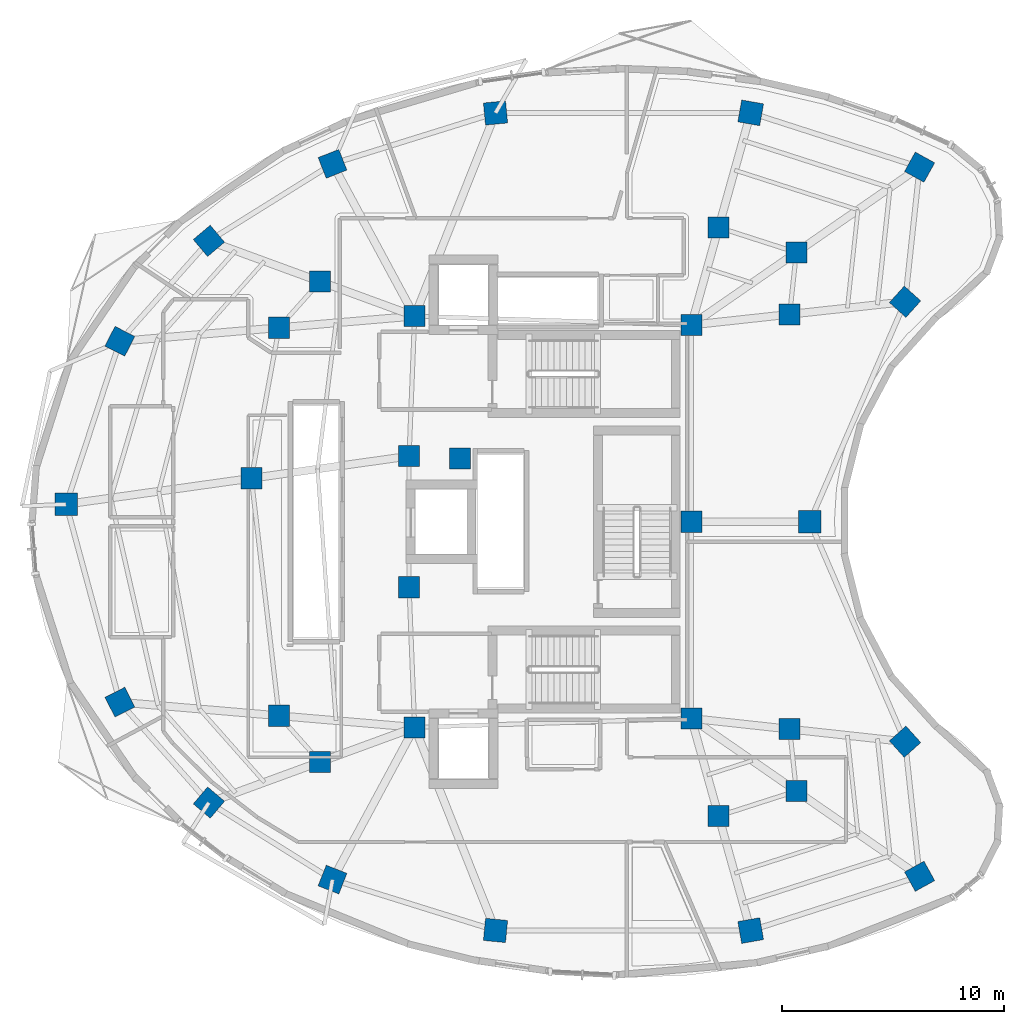
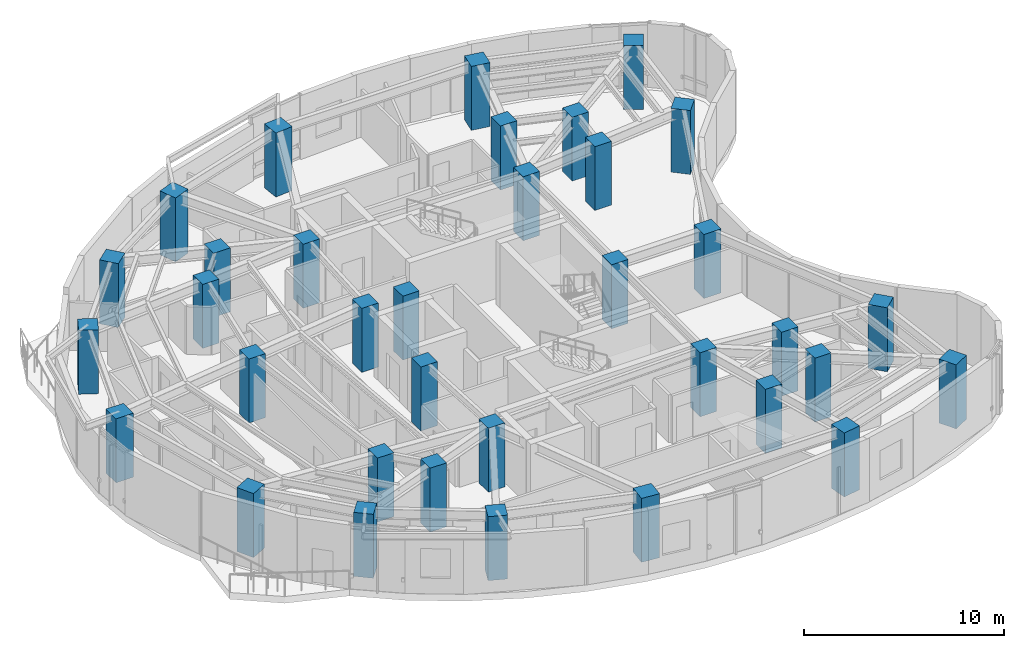
# One storey, part 1 of 13: 35 columns.
"""IFC4 building model written with IfcOpenShell, lengths in metres."""

from ifc_helpers import new_model, si_unit, direction, frame, origin, origin_2d, place, context, subcontext, project, spatial, rectangle, extrude, material, material_profile, profile_set, type_object, element, save


model = new_model("IFC4")

# Units and contexts
model_context = context("Model", 3, precision=1e-05, world=origin(), true_north=direction((0.0, 1.0)))
body_context = subcontext(model_context, "Body", "Model", "MODEL_VIEW")
ifc_project = project(units=[si_unit("LENGTHUNIT", "METRE"), si_unit("AREAUNIT", "SQUARE_METRE"), si_unit("VOLUMEUNIT", "CUBIC_METRE"), si_unit("PLANEANGLEUNIT", "RADIAN"), si_unit("MASSUNIT", "GRAM", prefix="KILO")], contexts=[model_context])

# Site, building, storey
site_placement = place(None, origin())
site = spatial("IfcSite", under=ifc_project, at=site_placement, CompositionType="ELEMENT")
building_placement = place(site_placement, origin())
building = spatial("IfcBuilding", under=site, at=building_placement, Name="Korentha Bioscience Tower", CompositionType="ELEMENT")
storey_placement = place(building_placement, frame((0.0, 0.0, 166.800048828125)))
storey = spatial("IfcBuildingStorey", under=building, at=storey_placement, Name="L38", CompositionType="ELEMENT", Elevation=166.800048828125)

# Columns
ifc_material = material(Name="Concrete C65", Category="concrete")
ifc_material_profile_1 = material_profile(ifc_material, rectangle(XDim=0.949951171875, YDim=0.949951171875, at=origin_2d()), Name="Concrete C65")
ifc_profile_set_1 = profile_set([ifc_material_profile_1], Name="Concrete C65 (COL-CP09)")
column_type_1 = type_object("IfcColumnType", Name="Core Pilaster Column RC 950x950", PredefinedType="PILASTER", material=ifc_profile_set_1)
for number, where, z_axis, x_axis, name in (
    (1, (37.550048828125, 35.85009765625, -0.00048828125), (0.0, 0.0, 1.0), (1.0, 0.0, 0.0), "L38 Core Pilaster CP-01"),
    (2, (25.10009765625, 36.25, -0.00048828125), (0.0, 0.0, 1.0), (1.0, 0.0, 0.0), "L38 Core Pilaster CP-02"),
    (3, (24.85009765625, 29.949951171875, -0.00048828125), (0.0, 0.0, 1.0), (1.0, 0.0, 0.0), "L38 Core Pilaster CP-03"),
    (4, (27.14990234375, 29.85009765625, -0.00048828125), (0.0, 0.0, 1.0), (1.0, 0.0, 0.0), "L38 Core Pilaster CP-04"),
    (5, (24.85009765625, 24.050048828125, -0.00048828125), (0.0, 0.0, 1.0), (1.0, 0.0, 0.0), "L38 Core Pilaster CP-05"),
    (6, (25.10009765625, 17.75, -0.00048828125), (0.0, 0.0, 1.0), (1.0, 0.0, 0.0), "L38 Core Pilaster CP-06"),
    (7, (37.550048828125, 18.14990234375, -0.00048828125), (0.0, 0.0, 1.0), (1.0, 0.0, 0.0), "L38 Core Pilaster CP-07"),
    (8, (37.550048828125, 27.0, -0.00048828125), (0.0, 0.0, 1.0), (1.0, 0.0, 0.0), "L38 Core Pilaster CP-08"),
):
    element("IfcColumn", number, at=place(storey_placement, frame(where, z_axis=z_axis, x_axis=x_axis)), inside=storey, type_object=column_type_1, Name=name, PredefinedType="PILASTER", context=body_context, shape_type="SweptSolid", body=[
        extrude(rectangle(XDim=0.949951171875, YDim=0.949951171875, at=origin_2d()), origin(), (0.0, 0.0, 1.0), 3.90087890625),
    ])
ifc_material_profile_2 = material_profile(ifc_material, rectangle(XDim=0.949951171875, YDim=0.949951171875, at=origin_2d()), Name="Concrete C65")
ifc_profile_set_2 = profile_set([ifc_material_profile_2], Name="Concrete C65 (COL-MR09)")
column_type_2 = type_object("IfcColumnType", Name="Mid-Ring Lab Column RC 950x950", PredefinedType="COLUMN", material=ifc_profile_set_2)
for number, where, z_axis, x_axis, name in (
    (9, (42.274658203125, 39.1171875, -0.00048828125), (0.0, 0.0, 1.0), (1.0, 0.0, 0.0), "L38 Mid-Ring Column 01"),
    (10, (38.77880859375, 40.2412109375, -0.00048828125), (0.0, 0.0, 1.0), (1.0, 0.0, 0.0), "L38 Mid-Ring Column 02"),
    (11, (20.84228515625, 37.807861328125, -0.00048828125), (0.0, 0.0, 1.0), (1.0, 0.0, 0.0), "L38 Mid-Ring Column 05"),
    (12, (18.99951171875, 35.72998046875, -0.00048828125), (0.0, 0.0, 1.0), (1.0, 0.0, 0.0), "L38 Mid-Ring Column 06"),
    (13, (17.75341796875, 28.95458984375, -0.00048828125), (0.0, 0.0, 1.0), (1.0, 0.0, 0.0), "L38 Mid-Ring Column 07"),
    (14, (18.99951171875, 18.27001953125, -0.00048828125), (0.0, 0.0, 1.0), (1.0, 0.0, 0.0), "L38 Mid-Ring Column 08"),
    (15, (20.84228515625, 16.192138671875, -0.00048828125), (0.0, 0.0, 1.0), (1.0, 0.0, 0.0), "L38 Mid-Ring Column 09"),
    (16, (38.77880859375, 13.7587890625, -0.00048828125), (0.0, 0.0, 1.0), (1.0, 0.0, 0.0), "L38 Mid-Ring Column 12"),
    (17, (42.274658203125, 14.8828125, -0.00048828125), (0.0, 0.0, 1.0), (1.0, 0.0, 0.0), "L38 Mid-Ring Column 13"),
    (18, (41.97412109375, 17.66796875, -0.00048828125), (0.0, 0.0, 1.0), (1.0, 0.0, 0.0), "L38 Mid-Ring Column 14"),
    (19, (41.97412109375, 36.33203125, -0.00048828125), (0.0, 0.0, 1.0), (1.0, 0.0, 0.0), "L38 Mid-Ring Column 16"),
):
    element("IfcColumn", number, at=place(storey_placement, frame(where, z_axis=z_axis, x_axis=x_axis)), inside=storey, type_object=column_type_2, Name=name, PredefinedType="COLUMN", context=body_context, shape_type="SweptSolid", body=[
        extrude(rectangle(XDim=0.949951171875, YDim=0.949951171875, at=origin_2d()), origin(), (0.0, 0.0, 1.0), 3.90087890625),
    ])
ifc_material_profile_3 = material_profile(ifc_material, rectangle(XDim=1.0, YDim=1.0, at=origin_2d()), Name="Concrete C65")
ifc_profile_set_3 = profile_set([ifc_material_profile_3], Name="Concrete C65 (COL-P10)")
column_type_3 = type_object("IfcColumnType", Name="Perimeter Column RC 1000x1000", PredefinedType="COLUMN", material=ifc_profile_set_3)
for number, where, z_axis, x_axis, name in (
    (20, (47.821044921875, 42.95263671875, -0.00048828125), (0.0, 0.0, 1.0), (-0.874535078577, 0.484962262797, 0.0), "L38 Perimeter Column 01"),
    (21, (40.22119140625, 45.39599609375, -0.00048828125), (0.0, 0.0, 1.0), (-0.984868307662, 0.173304404339, 0.0), "L38 Perimeter Column 02"),
    (22, (28.739501953125, 45.390380859375, -0.00048828125), (0.0, 0.0, 1.0), (0.995462868748, 0.095150811579, 0.0), "L38 Perimeter Column 03"),
    (23, (21.405517578125, 43.102783203125, -0.00048828125), (0.0, 0.0, 1.0), (0.930225540858, 0.366988341962, 0.0), "L38 Perimeter Column 04"),
    (24, (15.843994140625, 39.63671875, -0.00048828125), (0.0, 0.0, 1.0), (0.764246456939, 0.644924300253, 0.0), "L38 Perimeter Column 05"),
    (25, (11.837890625, 35.119384765625, -0.00048828125), (0.0, 0.0, 1.0), (0.453057191132, 0.891481453292, 0.0), "L38 Perimeter Column 06"),
    (26, (9.422607421875, 27.785888671875, -0.00048828125), (0.0, 0.0, 1.0), (0.0, 1.0, 0.0), "L38 Perimeter Column 07"),
    (27, (11.837890625, 18.880615234375, -0.00048828125), (0.0, 0.0, 1.0), (-0.453057191132, 0.891481453292, 0.0), "L38 Perimeter Column 08"),
    (28, (15.843994140625, 14.36328125, -0.00048828125), (0.0, 0.0, 1.0), (-0.764246456939, 0.644924300253, 0.0), "L38 Perimeter Column 09"),
    (29, (21.405517578125, 10.897216796875, -0.00048828125), (0.0, 0.0, 1.0), (-0.930225540858, 0.366988341962, 0.0), "L38 Perimeter Column 10"),
    (30, (28.739501953125, 8.609619140625, -0.00048828125), (0.0, 0.0, 1.0), (-0.995462868748, 0.095150811579, 0.0), "L38 Perimeter Column 11"),
    (31, (40.22119140625, 8.60400390625, -0.00048828125), (0.0, 0.0, 1.0), (0.984868307662, 0.173304404339, 0.0), "L38 Perimeter Column 12"),
    (32, (47.821044921875, 11.04736328125, -0.00048828125), (0.0, 0.0, 1.0), (0.874535078577, 0.484962262797, 0.0), "L38 Perimeter Column 13"),
    (33, (47.16748046875, 17.10205078125, -0.00048828125), (0.0, 0.0, 1.0), (-0.669130606359, 0.743144825477, 0.0), "L38 Perimeter Column 14"),
    (34, (42.8818359375, 27.0, -0.00048828125), (0.0, 0.0, 1.0), (0.0, 1.0, 0.0), "L38 Perimeter Column 15"),
    (35, (47.16748046875, 36.89794921875, -0.00048828125), (0.0, 0.0, 1.0), (0.669130606359, 0.743144825477, 0.0), "L38 Perimeter Column 16"),
):
    element("IfcColumn", number, at=place(storey_placement, frame(where, z_axis=z_axis, x_axis=x_axis)), inside=storey, type_object=column_type_3, Name=name, PredefinedType="COLUMN", context=body_context, shape_type="SweptSolid", body=[
        extrude(rectangle(XDim=1.0, YDim=1.0, at=origin_2d()), origin(), (0.0, 0.0, 1.0), 3.90087890625),
    ])

save(model, "model.ifc")
